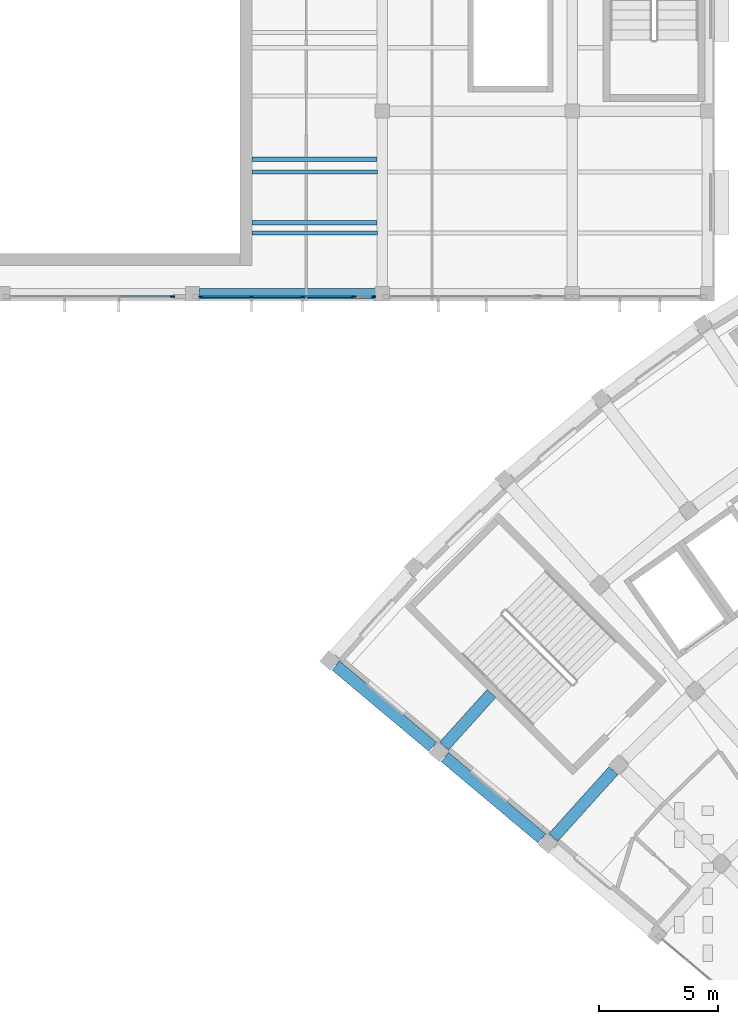
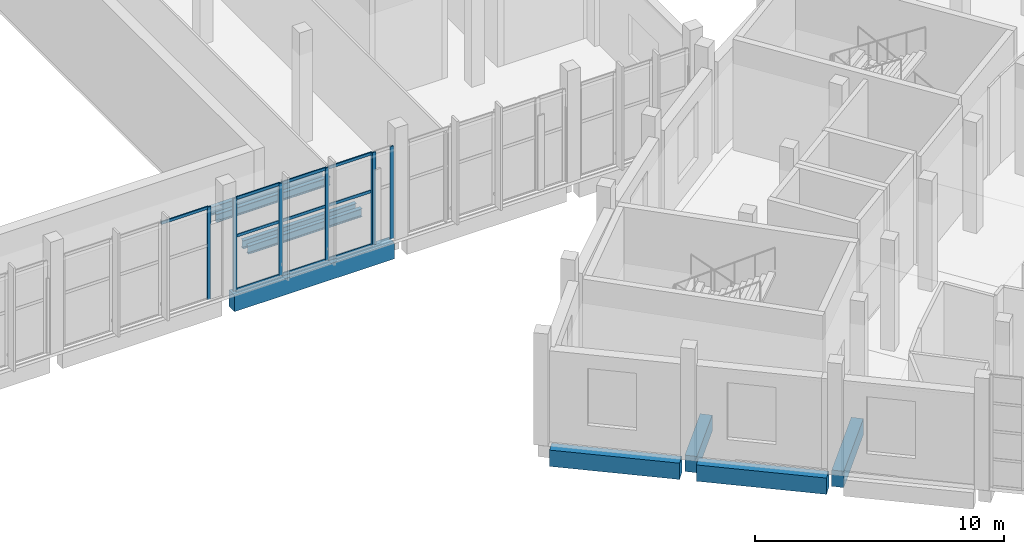
# One storey, part 5 of 87: 17 members, 9 beams, 3 elements without a shape of their own.
"""IFC4 building model written with IfcOpenShell, lengths in metres."""

from ifc_helpers import new_model, si_unit, direction, frame, origin, origin_2d, place, context, subcontext, project, spatial, rectangle, i_section, extrude, material, layer, layer_set, material_profile, profile_set, type_object, element, aggregate, save


model = new_model("IFC4")

# Units and contexts
model_context = context("Model", 3, precision=1e-05, world=origin(), true_north=direction((0.0, 1.0)))
body_context = subcontext(model_context, "Body", "Model", "MODEL_VIEW")
ifc_project = project(units=[si_unit("LENGTHUNIT", "METRE"), si_unit("AREAUNIT", "SQUARE_METRE"), si_unit("VOLUMEUNIT", "CUBIC_METRE"), si_unit("PLANEANGLEUNIT", "RADIAN"), si_unit("MASSUNIT", "GRAM", prefix="KILO")], contexts=[model_context])

# Site, building, storey
site_placement = place(None, origin())
site = spatial("IfcSite", under=ifc_project, at=site_placement, CompositionType="ELEMENT")
building_placement = place(site_placement, origin())
building = spatial("IfcBuilding", under=site, at=building_placement, Name="Lunette Opera House", CompositionType="ELEMENT")
storey_placement = place(building_placement, frame((0.0, 0.0, 11.5)))
storey = spatial("IfcBuildingStorey", under=building, at=storey_placement, Name="L02", CompositionType="ELEMENT", Elevation=11.5)

# Curtain wall, member
ifc_material_1 = material(Name="Aluminium", Category="aluminium")
ifc_layer = layer(ifc_material_1, 0.179931640625)
ifc_layer_set = layer_set([ifc_layer], Name="Aluminium")
curtain_wall_type = type_object("IfcCurtainWallType", Name="SUN FACE CURTAIN WALL", PredefinedType="NOTDEFINED", material=ifc_layer_set)
curtain_wall_1_placement = place(storey_placement, origin())
curtain_wall_1 = element("IfcCurtainWall", 1, at=curtain_wall_1_placement, inside=storey, type_object=curtain_wall_type, Name="Sun Face Curtain Wall F21 L02", PredefinedType="NOTDEFINED")
ifc_material_2 = material(Name="Aluminium", Category="aluminium")
ifc_material_profile_1 = material_profile(ifc_material_2, rectangle(XDim=0.06005859375, YDim=0.179931640625, at=origin_2d()), Name="MULLION 60 X 180")
ifc_profile_set_1 = profile_set([ifc_material_profile_1], Name="Aluminium")
member_type_1 = type_object("IfcMemberType", Name="MULLION 60 X 180", PredefinedType="MULLION", material=ifc_profile_set_1)
member_1_placement = place(storey_placement, frame((31.153076171875, 64.18310546875, 0.0), z_axis=(0.0, 0.0, 1.0), x_axis=(0.0, 1.0, 0.0)))
member_1 = element("IfcMember", 2, at=member_1_placement, type_object=member_type_1, Name="RW-X2037 mullion 4", PredefinedType="MULLION", context=body_context, shape_type="SweptSolid", body=[
    extrude(rectangle(XDim=0.06005859375, YDim=0.179931640625, at=origin_2d()), origin(), (0.0, 0.0, 1.0), 4.550048828125),
])

# Curtain wall, members
curtain_wall_2_placement = place(storey_placement, origin())
curtain_wall_2 = element("IfcCurtainWall", 3, at=curtain_wall_2_placement, inside=storey, type_object=curtain_wall_type, Name="Sun Face Curtain Wall F22 L02", PredefinedType="NOTDEFINED")
member_2_placement = place(storey_placement, frame((32.360107421875, 64.18310546875, 0.0), z_axis=(0.0, 0.0, 1.0), x_axis=(0.0, 1.0, 0.0)))
member_2 = element("IfcMember", 4, at=member_2_placement, type_object=member_type_1, Name="RW-X2038 mullion 1", PredefinedType="MULLION", context=body_context, shape_type="SweptSolid", body=[
    extrude(rectangle(XDim=0.06005859375, YDim=0.179931640625, at=origin_2d()), origin(), (0.0, 0.0, 1.0), 4.550048828125),
])
member_3_placement = place(storey_placement, frame((34.482666015625, 64.18310546875, 0.0), z_axis=(0.0, 0.0, 1.0), x_axis=(0.0, 1.0, 0.0)))
member_3 = element("IfcMember", 5, at=member_3_placement, type_object=member_type_1, Name="RW-X2038 mullion 2", PredefinedType="MULLION", context=body_context, shape_type="SweptSolid", body=[
    extrude(rectangle(XDim=0.06005859375, YDim=0.179931640625, at=origin_2d()), origin(), (0.0, 0.0, 1.0), 4.550048828125),
])
member_4_placement = place(storey_placement, frame((36.63525390625, 64.18310546875, 0.0), z_axis=(0.0, 0.0, 1.0), x_axis=(0.0, 1.0, 0.0)))
member_4 = element("IfcMember", 6, at=member_4_placement, type_object=member_type_1, Name="RW-X2038 mullion 3", PredefinedType="MULLION", context=body_context, shape_type="SweptSolid", body=[
    extrude(rectangle(XDim=0.06005859375, YDim=0.179931640625, at=origin_2d()), origin(), (0.0, 0.0, 1.0), 4.550048828125),
])
member_5_placement = place(storey_placement, frame((38.758056640625, 64.18310546875, 0.0), z_axis=(0.0, 0.0, 1.0), x_axis=(0.0, 1.0, 0.0)))
member_5 = element("IfcMember", 7, at=member_5_placement, type_object=member_type_1, Name="RW-X2038 mullion 4", PredefinedType="MULLION", context=body_context, shape_type="SweptSolid", body=[
    extrude(rectangle(XDim=0.06005859375, YDim=0.179931640625, at=origin_2d()), origin(), (0.0, 0.0, 1.0), 4.550048828125),
])

curtain_wall_3_placement = place(storey_placement, origin())
curtain_wall_3 = element("IfcCurtainWall", 8, at=curtain_wall_3_placement, inside=storey, type_object=curtain_wall_type, Name="Sun Face Curtain Wall F23-1 L02", PredefinedType="NOTDEFINED")
member_6_placement = place(storey_placement, frame((38.818115234375, 64.18310546875, 0.0), z_axis=(0.0, 0.0, 1.0), x_axis=(0.0, 1.0, 0.0)))
member_6 = element("IfcMember", 9, at=member_6_placement, type_object=member_type_1, Name="RW-X2039 mullion 1", PredefinedType="MULLION", context=body_context, shape_type="SweptSolid", body=[
    extrude(rectangle(XDim=0.06005859375, YDim=0.179931640625, at=origin_2d()), origin(), (0.0, 0.0, 1.0), 4.550048828125),
])
member_7_placement = place(storey_placement, frame((39.639892578125, 64.18310546875, 0.0), z_axis=(0.0, 0.0, 1.0), x_axis=(0.0, 1.0, 0.0)))
member_7 = element("IfcMember", 10, at=member_7_placement, type_object=member_type_1, Name="RW-X2039 mullion 2", PredefinedType="MULLION", context=body_context, shape_type="SweptSolid", body=[
    extrude(rectangle(XDim=0.06005859375, YDim=0.179931640625, at=origin_2d()), origin(), (0.0, 0.0, 1.0), 4.550048828125),
])
aggregate(curtain_wall_3, [member_6, member_7])

# Beams
ifc_material_3 = material(Name="Concrete C35/45", Category="concrete")
ifc_material_profile_2 = material_profile(ifc_material_3, rectangle(XDim=0.449951171875, YDim=0.800048828125, at=origin_2d()), Name="RC BEAM 450X800")
ifc_profile_set_2 = profile_set([ifc_material_profile_2], Name="Concrete C35/45")
beam_type_1 = type_object("IfcBeamType", Name="RC BEAM 450X800", PredefinedType="BEAM", material=ifc_profile_set_2)
beam_1_placement = place(storey_placement, frame((32.2900390625, 64.300048828125, -0.550048828125), z_axis=(1.0, 0.0, 0.0), x_axis=(0.0, 1.0, 0.0)))
element("IfcBeam", 11, at=beam_1_placement, inside=storey, type_object=beam_type_1, Name="beam-RW-L02-L02-GX30", PredefinedType="BEAM", context=body_context, shape_type="SweptSolid", body=[
    extrude(rectangle(XDim=0.449951171875, YDim=0.800048828125, at=origin_2d()), origin(), (0.0, 0.0, 1.0), 7.419921875),
])
ifc_material_4 = material(Name="Concrete C35/45", Category="concrete")
ifc_material_profile_3 = material_profile(ifc_material_4, rectangle(XDim=0.5, YDim=0.800048828125, at=origin_2d()), Name="RC BEAM 500X800")
ifc_profile_set_3 = profile_set([ifc_material_profile_3], Name="Concrete C35/45")
beam_type_2 = type_object("IfcBeamType", Name="RC BEAM 500X800", PredefinedType="BEAM", material=ifc_profile_set_3)
beam_2_placement = place(storey_placement, frame((46.712890625, 41.35693359375, -0.6201171875), z_axis=(-0.76603920911, 0.642793847285, 0.0), x_axis=(-0.642793847285, -0.76603920911, 0.0)))
element("IfcBeam", 12, at=beam_2_placement, inside=storey, type_object=beam_type_2, Name="beam-FC-L02-L02-RB-RL-01-3", PredefinedType="BEAM", context=body_context, shape_type="SweptSolid", body=[
    extrude(rectangle(XDim=0.5, YDim=0.800048828125, at=origin_2d()), origin(), (0.0, 0.0, 1.0), 5.32080078125),
])
beam_3_placement = place(storey_placement, frame((42.115966796875, 45.214111328125, -0.6201171875), z_axis=(-0.766076352309, 0.642749579878, 0.0), x_axis=(-0.642749579878, -0.766076352309, 0.0)))
element("IfcBeam", 13, at=beam_3_placement, inside=storey, type_object=beam_type_2, Name="beam-FC-L02-L02-RB-RL-01-4", PredefinedType="BEAM", context=body_context, shape_type="SweptSolid", body=[
    extrude(rectangle(XDim=0.5, YDim=0.800048828125, at=origin_2d()), origin(), (0.0, 0.0, 1.0), 5.3193359375),
])
beam_4_placement = place(storey_placement, frame((47.200927734375, 41.39111328125, -0.6201171875), z_axis=(0.669021732106, 0.743242841856, 0.0), x_axis=(-0.743242841856, 0.669021732106, 0.0)))
element("IfcBeam", 14, at=beam_4_placement, inside=storey, type_object=beam_type_2, Name="beam-FC-L02-L02-RG-AR-B-RL-01", PredefinedType="BEAM", context=body_context, shape_type="SweptSolid", body=[
    extrude(rectangle(XDim=0.5, YDim=0.800048828125, at=origin_2d()), origin(), (0.0, 0.0, 1.0), 3.7861328125),
])
beam_5_placement = place(storey_placement, frame((42.60498046875, 45.248046875, -0.6201171875), z_axis=(0.6689919383, 0.743269659336, 0.0), x_axis=(-0.743269659336, 0.6689919383, 0.0)))
element("IfcBeam", 15, at=beam_5_placement, inside=storey, type_object=beam_type_2, Name="beam-FC-L02-L02-RG-AR-M2-RL-01", PredefinedType="BEAM", context=body_context, shape_type="SweptSolid", body=[
    extrude(rectangle(XDim=0.5, YDim=0.800048828125, at=origin_2d()), origin(), (0.0, 0.0, 1.0), 2.974609375),
])
ifc_material_5 = material(Name="Steel S355", Category="steel")
ifc_material_profile_4 = material_profile(ifc_material_5, i_section(OverallWidth=0.179931640625, OverallDepth=0.39990234375, WebThickness=0.008544921875, FlangeThickness=0.013427734375, FilletRadius=0.02099609375, at=origin_2d()), Name="IPE 400")
ifc_profile_set_4 = profile_set([ifc_material_profile_4], Name="Steel S355")
beam_type_3 = type_object("IfcBeamType", Name="STEEL BEAM IPE 400", PredefinedType="BEAM", material=ifc_profile_set_4)
for number, where, z_axis, x_axis, name in (
    (16, (34.5, 66.866943359375, -0.35009765625), (1.0, 0.0, 0.0), (0.0, 1.0, 0.0), "beam-RW-L02-L02-SX301-01"),
    (17, (34.5, 69.43310546875, -0.35009765625), (1.0, 0.0, 0.0), (0.0, 1.0, 0.0), "beam-RW-L02-L02-SX302-01"),
):
    element("IfcBeam", number, at=place(storey_placement, frame(where, z_axis=z_axis, x_axis=x_axis)), inside=storey, type_object=beam_type_3, Name=name, PredefinedType="BEAM", context=body_context, shape_type="SweptSolid", body=[
        extrude(i_section(OverallWidth=0.179931640625, OverallDepth=0.39990234375, WebThickness=0.008544921875, FlangeThickness=0.013427734375, FilletRadius=0.02099609375, at=origin_2d()), origin(), (0.0, 0.0, 1.0), 5.284912109375),
    ])
for number, where, z_axis, x_axis, name in (
    (18, (34.5, 67.300048828125, -0.35009765625), (1.0, 0.0, 0.0), (0.0, 1.0, 0.0), "beam-RW-L02-L02-RJE10660"),
    (19, (34.5, 69.969970703125, -0.35009765625), (1.0, 0.0, 0.0), (0.0, 1.0, 0.0), "beam-RW-L02-L02-RJE10661"),
):
    element("IfcBeam", number, at=place(storey_placement, frame(where, z_axis=z_axis, x_axis=x_axis)), inside=storey, type_object=beam_type_3, Name=name, PredefinedType="BEAM", context=body_context, shape_type="SweptSolid", body=[
        extrude(i_section(OverallWidth=0.179931640625, OverallDepth=0.39990234375, WebThickness=0.008544921875, FlangeThickness=0.013427734375, FilletRadius=0.02099609375, at=origin_2d()), origin(), (0.0, 0.0, 1.0), 5.264892578125),
    ])

# Member
ifc_material_6 = material(Name="Aluminium", Category="aluminium")
ifc_material_profile_5 = material_profile(ifc_material_6, rectangle(XDim=0.06005859375, YDim=0.139892578125, at=origin_2d()), Name="TRANSOM 60 X 140")
ifc_profile_set_5 = profile_set([ifc_material_profile_5], Name="Aluminium")
member_type_2 = type_object("IfcMemberType", Name="TRANSOM 60 X 140", PredefinedType="USERDEFINED", material=ifc_profile_set_5)
member_8_placement = place(storey_placement, frame((28.9287109375, 64.18310546875, 4.52001953125), z_axis=(1.0, 0.0, 0.0), x_axis=(0.0, 1.0, 0.0)))
member_8 = element("IfcMember", 20, at=member_8_placement, type_object=member_type_2, Name="RW-X2037 transom 3.3", ObjectType="TRANSOM", PredefinedType="USERDEFINED", context=body_context, shape_type="SweptSolid", body=[
    extrude(rectangle(XDim=0.06005859375, YDim=0.139892578125, at=origin_2d()), origin(), (0.0, 0.0, 1.0), 2.1943359375),
])

aggregate(curtain_wall_1, [member_1, member_8])

member_9_placement = place(storey_placement, frame((32.389892578125, 64.18310546875, 0.030029296875), z_axis=(1.0, 0.0, 0.0), x_axis=(0.0, 1.0, 0.0)))
member_9 = element("IfcMember", 21, at=member_9_placement, type_object=member_type_2, Name="RW-X2038 transom 1.1", ObjectType="TRANSOM", PredefinedType="USERDEFINED", context=body_context, shape_type="SweptSolid", body=[
    extrude(rectangle(XDim=0.06005859375, YDim=0.139892578125, at=origin_2d()), origin(), (0.0, 0.0, 1.0), 2.062744140625),
])

member_10_placement = place(storey_placement, frame((32.389892578125, 64.18310546875, 2.675048828125), z_axis=(1.0, 0.0, 0.0), x_axis=(0.0, 1.0, 0.0)))
member_10 = element("IfcMember", 22, at=member_10_placement, type_object=member_type_2, Name="RW-X2038 transom 1.2", ObjectType="TRANSOM", PredefinedType="USERDEFINED", context=body_context, shape_type="SweptSolid", body=[
    extrude(rectangle(XDim=0.06005859375, YDim=0.139892578125, at=origin_2d()), origin(), (0.0, 0.0, 1.0), 2.062744140625),
])

member_11_placement = place(storey_placement, frame((32.389892578125, 64.18310546875, 4.52001953125), z_axis=(1.0, 0.0, 0.0), x_axis=(0.0, 1.0, 0.0)))
member_11 = element("IfcMember", 23, at=member_11_placement, type_object=member_type_2, Name="RW-X2038 transom 1.3", ObjectType="TRANSOM", PredefinedType="USERDEFINED", context=body_context, shape_type="SweptSolid", body=[
    extrude(rectangle(XDim=0.06005859375, YDim=0.139892578125, at=origin_2d()), origin(), (0.0, 0.0, 1.0), 2.062744140625),
])

member_12_placement = place(storey_placement, frame((34.5126953125, 64.18310546875, 0.030029296875), z_axis=(1.0, 0.0, 0.0), x_axis=(0.0, 1.0, 0.0)))
member_12 = element("IfcMember", 24, at=member_12_placement, type_object=member_type_2, Name="RW-X2038 transom 2.1", ObjectType="TRANSOM", PredefinedType="USERDEFINED", context=body_context, shape_type="SweptSolid", body=[
    extrude(rectangle(XDim=0.06005859375, YDim=0.139892578125, at=origin_2d()), origin(), (0.0, 0.0, 1.0), 2.092529296875),
])

member_13_placement = place(storey_placement, frame((34.5126953125, 64.18310546875, 2.675048828125), z_axis=(1.0, 0.0, 0.0), x_axis=(0.0, 1.0, 0.0)))
member_13 = element("IfcMember", 25, at=member_13_placement, type_object=member_type_2, Name="RW-X2038 transom 2.2", ObjectType="TRANSOM", PredefinedType="USERDEFINED", context=body_context, shape_type="SweptSolid", body=[
    extrude(rectangle(XDim=0.06005859375, YDim=0.139892578125, at=origin_2d()), origin(), (0.0, 0.0, 1.0), 2.092529296875),
])

member_14_placement = place(storey_placement, frame((34.5126953125, 64.18310546875, 4.52001953125), z_axis=(1.0, 0.0, 0.0), x_axis=(0.0, 1.0, 0.0)))
member_14 = element("IfcMember", 26, at=member_14_placement, type_object=member_type_2, Name="RW-X2038 transom 2.3", ObjectType="TRANSOM", PredefinedType="USERDEFINED", context=body_context, shape_type="SweptSolid", body=[
    extrude(rectangle(XDim=0.06005859375, YDim=0.139892578125, at=origin_2d()), origin(), (0.0, 0.0, 1.0), 2.092529296875),
])

member_15_placement = place(storey_placement, frame((36.665283203125, 64.18310546875, 0.030029296875), z_axis=(1.0, 0.0, 0.0), x_axis=(0.0, 1.0, 0.0)))
member_15 = element("IfcMember", 27, at=member_15_placement, type_object=member_type_2, Name="RW-X2038 transom 3.1", ObjectType="TRANSOM", PredefinedType="USERDEFINED", context=body_context, shape_type="SweptSolid", body=[
    extrude(rectangle(XDim=0.06005859375, YDim=0.139892578125, at=origin_2d()), origin(), (0.0, 0.0, 1.0), 2.062744140625),
])

member_16_placement = place(storey_placement, frame((36.665283203125, 64.18310546875, 2.675048828125), z_axis=(1.0, 0.0, 0.0), x_axis=(0.0, 1.0, 0.0)))
member_16 = element("IfcMember", 28, at=member_16_placement, type_object=member_type_2, Name="RW-X2038 transom 3.2", ObjectType="TRANSOM", PredefinedType="USERDEFINED", context=body_context, shape_type="SweptSolid", body=[
    extrude(rectangle(XDim=0.06005859375, YDim=0.139892578125, at=origin_2d()), origin(), (0.0, 0.0, 1.0), 2.062744140625),
])

member_17_placement = place(storey_placement, frame((36.665283203125, 64.18310546875, 4.52001953125), z_axis=(1.0, 0.0, 0.0), x_axis=(0.0, 1.0, 0.0)))
member_17 = element("IfcMember", 29, at=member_17_placement, type_object=member_type_2, Name="RW-X2038 transom 3.3", ObjectType="TRANSOM", PredefinedType="USERDEFINED", context=body_context, shape_type="SweptSolid", body=[
    extrude(rectangle(XDim=0.06005859375, YDim=0.139892578125, at=origin_2d()), origin(), (0.0, 0.0, 1.0), 2.062744140625),
])

aggregate(curtain_wall_2, [member_2, member_3, member_4, member_5, member_9, member_10, member_11, member_12, member_13, member_14, member_15, member_16, member_17])

save(model, "model.ifc")
